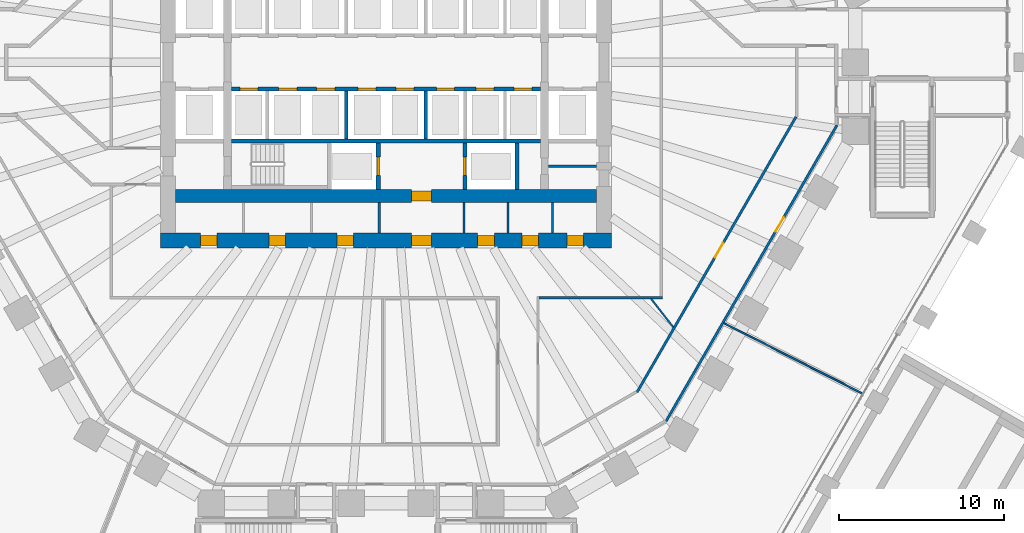
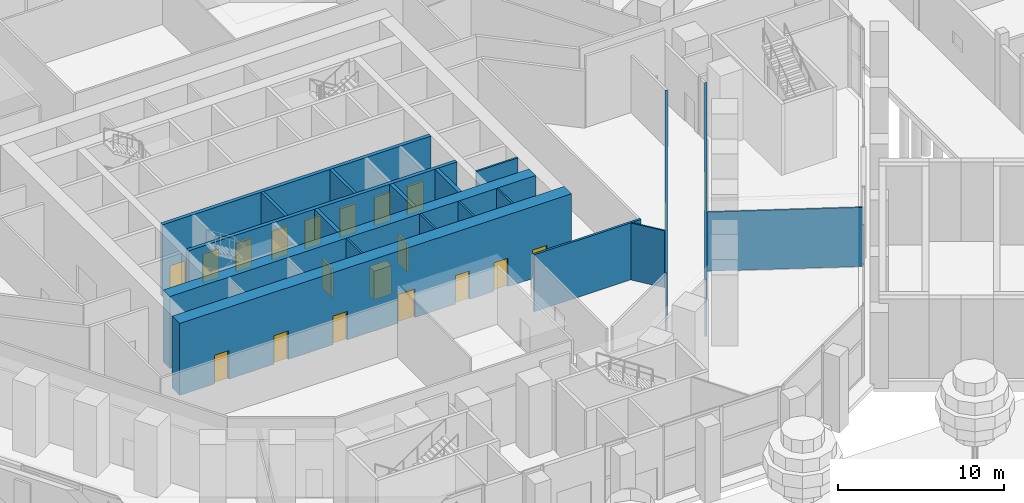
# One storey, part 20 of 44: 20 doors, 19 walls, 20 openings.
"""IFC4 building model written with IfcOpenShell, lengths in metres."""

from ifc_helpers import new_model, si_unit, direction, frame, frame_2d, origin, place, context, subcontext, project, spatial, rectangle, extrude, material, layer, layer_set, type_object, element, fill, save


model = new_model("IFC4")

# Units and contexts
model_context = context("Model", 3, precision=1e-05, world=origin(), true_north=direction((0.0, 1.0)))
body_context = subcontext(model_context, "Body", "Model", "MODEL_VIEW")
ifc_project = project(units=[si_unit("LENGTHUNIT", "METRE"), si_unit("AREAUNIT", "SQUARE_METRE"), si_unit("VOLUMEUNIT", "CUBIC_METRE"), si_unit("PLANEANGLEUNIT", "RADIAN"), si_unit("MASSUNIT", "GRAM", prefix="KILO")], contexts=[model_context])

# Site, building, storey
site_placement = place(None, origin())
site = spatial("IfcSite", under=ifc_project, at=site_placement, CompositionType="ELEMENT")
building_placement = place(site_placement, origin())
building = spatial("IfcBuilding", under=site, at=building_placement, Name="Frailejon Research Tower", CompositionType="ELEMENT")
storey_placement = place(building_placement, origin())
storey = spatial("IfcBuildingStorey", under=building, at=storey_placement, Name="L00", CompositionType="ELEMENT", Elevation=0.0)

# Walls
ifc_material_1 = material(Name="Plasterboard on steel studs", Category="steel")
ifc_layer_1 = layer(ifc_material_1, 0.125)
ifc_layer_set_1 = layer_set([ifc_layer_1], Name="Core partition 125")
wall_type_1 = type_object("IfcWallType", Name="Core partition 125", PredefinedType="PARTITIONING", material=ifc_layer_set_1)
wall_1_placement = place(storey_placement, frame((9.85009765625, -6.300048828125, 0.0), z_axis=(0.0, 0.0, 1.0), x_axis=(1.0, 0.0, 0.0)))
element("IfcWall", 1, at=wall_1_placement, inside=storey, type_object=wall_type_1, Name="Core partition", PredefinedType="PARTITIONING", context=body_context, shape_type="SweptSolid", body=[
    extrude(rectangle(XDim=2.89990234375, YDim=0.125, at=frame_2d((1.449951171875, 0.0))), origin(), (0.0, 0.0, 1.0), 5.300048828125),
])
for number, where, z_axis, x_axis, name in (
    (2, (-0.41259765625, -10.35009765625, 0.0), (0.0, 0.0, 1.0), (0.0, 1.0, 0.0), "Core partition"),
    (3, (4.71240234375, -10.35009765625, 0.0), (0.0, 0.0, 1.0), (0.0, 1.0, 0.0), "Core partition"),
    (4, (7.3916015625, -10.35009765625, 0.0), (0.0, 0.0, 1.0), (0.0, 1.0, 0.0), "Core partition"),
    (5, (10.07080078125, -10.35009765625, 0.0), (0.0, 0.0, 1.0), (0.0, 1.0, 0.0), "Core partition"),
):
    element("IfcWall", number, at=place(storey_placement, frame(where, z_axis=z_axis, x_axis=x_axis)), inside=storey, type_object=wall_type_1, Name=name, PredefinedType="PARTITIONING", context=body_context, shape_type="SweptSolid", body=[
        extrude(rectangle(XDim=1.85009765625, YDim=0.125, at=frame_2d((0.925048828125, 0.0))), origin(), (0.0, 0.0, 1.0), 5.300048828125),
    ])

# Wall, opening, door
ifc_material_2 = material(Name="Concrete C70/85", Category="concrete")
ifc_layer_2 = layer(ifc_material_2, 0.800048828125)
ifc_layer_set_2 = layer_set([ifc_layer_2], Name="Core shear wall 800 C70/85")
wall_type_2 = type_object("IfcWallType", Name="Core shear wall 800 C70/85", PredefinedType="SHEAR", material=ifc_layer_set_2)
wall_2_placement = place(storey_placement, frame((-12.75, -8.10009765625, 0.0), z_axis=(0.0, 0.0, 1.0), x_axis=(1.0, 0.0, 0.0)))
wall_2 = element("IfcWall", 6, at=wall_2_placement, inside=storey, type_object=wall_type_2, Name="Core shear wall", PredefinedType="SHEAR", context=body_context, shape_type="SweptSolid", body=[
    extrude(rectangle(XDim=25.5, YDim=0.800048828125, at=frame_2d((12.75, 0.0))), origin(), (0.0, 0.0, 1.0), 5.300048828125),
])
opening_1_placement = place(wall_2_placement, frame((14.300048828125, 0.0, 0.0)))
opening_1 = element("IfcOpeningElement", 7, at=opening_1_placement, cuts=wall_2, Name="Opening D3", PredefinedType="OPENING", context=body_context, shape_type="SweptSolid", body=[
    extrude(rectangle(XDim=1.199951171875, YDim=2.10009765625, at=frame_2d((0.60009765625, 1.050048828125))), frame((0.0, 0.409912109375, 0.0), z_axis=(0.0, -1.0, 0.0), x_axis=(1.0, 0.0, 0.0)), (0.0, 0.0, 1.0), 0.820068359375),
])
ifc_material_3 = material(Name="Steel", Category="steel")
door_type_1 = type_object("IfcDoorType", Name="Firefighting lobby door", OperationType="SINGLE_SWING_LEFT", PredefinedType="DOOR", material=ifc_material_3)
door_1_placement = place(opening_1_placement, origin())
door_1 = element("IfcDoor", 8, at=door_1_placement, inside=storey, type_object=door_type_1, Name="Firefighting lobby door", OperationType="SINGLE_SWING_LEFT", OverallHeight=2.10009765625, OverallWidth=1.199951171875, PredefinedType="DOOR", context=body_context, shape_type="SweptSolid", body=[
    extrude(rectangle(XDim=1.199951171875, YDim=2.10009765625, at=frame_2d((0.60009765625, 1.050048828125))), frame((0.0, 0.300048828125, 0.0), z_axis=(0.0, -1.0, 0.0), x_axis=(1.0, 0.0, 0.0)), (0.0, 0.0, 1.0), 0.60009765625),
])
fill(opening_1, door_1)

# Wall, openings, doors
ifc_material_4 = material(Name="Concrete C70/85", Category="concrete")
ifc_layer_3 = layer(ifc_material_4, 0.89990234375)
ifc_layer_set_3 = layer_set([ifc_layer_3], Name="Core shear wall 900 C70/85")
wall_type_3 = type_object("IfcWallType", Name="Core shear wall 900 C70/85", PredefinedType="SHEAR", material=ifc_layer_set_3)
wall_3_placement = place(storey_placement, frame((-13.64990234375, -10.800048828125, 0.0), z_axis=(0.0, 0.0, 1.0), x_axis=(1.0, 0.0, 0.0)))
wall_3 = element("IfcWall", 9, at=wall_3_placement, inside=storey, type_object=wall_type_3, Name="Core shear wall", PredefinedType="SHEAR", context=body_context, shape_type="SweptSolid", body=[
    extrude(rectangle(XDim=27.2998046875, YDim=0.89990234375, at=frame_2d((13.64990234375, 0.0))), origin(), (0.0, 0.0, 1.0), 5.300048828125),
])
opening_2_placement = place(wall_3_placement, frame((2.425048828125, 0.0, 0.0)))
opening_2 = element("IfcOpeningElement", 10, at=opening_2_placement, cuts=wall_3, Name="Opening D4", PredefinedType="OPENING", context=body_context, shape_type="SweptSolid", body=[
    extrude(rectangle(XDim=1.0, YDim=2.10009765625, at=frame_2d((0.5, 1.050048828125))), frame((0.0, 0.4599609375, 0.0), z_axis=(0.0, -1.0, 0.0), x_axis=(1.0, 0.0, 0.0)), (0.0, 0.0, 1.0), 0.919921875),
])
opening_3_placement = place(wall_3_placement, frame((6.568603515625, 0.0, 0.0)))
opening_3 = element("IfcOpeningElement", 11, at=opening_3_placement, cuts=wall_3, Name="Opening D4", PredefinedType="OPENING", context=body_context, shape_type="SweptSolid", body=[
    extrude(rectangle(XDim=1.0, YDim=2.10009765625, at=frame_2d((0.5, 1.050048828125))), frame((0.0, 0.4599609375, 0.0), z_axis=(0.0, -1.0, 0.0), x_axis=(1.0, 0.0, 0.0)), (0.0, 0.0, 1.0), 0.919921875),
])
opening_4_placement = place(wall_3_placement, frame((10.68115234375, 0.0, 0.0)))
opening_4 = element("IfcOpeningElement", 12, at=opening_4_placement, cuts=wall_3, Name="Opening D4", PredefinedType="OPENING", context=body_context, shape_type="SweptSolid", body=[
    extrude(rectangle(XDim=1.0, YDim=2.10009765625, at=frame_2d((0.5, 1.050048828125))), frame((0.0, 0.4599609375, 0.0), z_axis=(0.0, -1.0, 0.0), x_axis=(1.0, 0.0, 0.0)), (0.0, 0.0, 1.0), 0.919921875),
])
opening_5_placement = place(wall_3_placement, frame((19.2021484375, 0.0, 0.0)))
opening_5 = element("IfcOpeningElement", 13, at=opening_5_placement, cuts=wall_3, Name="Opening D4", PredefinedType="OPENING", context=body_context, shape_type="SweptSolid", body=[
    extrude(rectangle(XDim=1.0, YDim=2.10009765625, at=frame_2d((0.5, 1.050048828125))), frame((0.0, 0.4599609375, 0.0), z_axis=(0.0, -1.0, 0.0), x_axis=(1.0, 0.0, 0.0)), (0.0, 0.0, 1.0), 0.919921875),
])
opening_6_placement = place(wall_3_placement, frame((21.881103515625, 0.0, 0.0)))
opening_6 = element("IfcOpeningElement", 14, at=opening_6_placement, cuts=wall_3, Name="Opening D4", PredefinedType="OPENING", context=body_context, shape_type="SweptSolid", body=[
    extrude(rectangle(XDim=1.0, YDim=2.10009765625, at=frame_2d((0.5, 1.050048828125))), frame((0.0, 0.4599609375, 0.0), z_axis=(0.0, -1.0, 0.0), x_axis=(1.0, 0.0, 0.0)), (0.0, 0.0, 1.0), 0.919921875),
])
opening_7_placement = place(wall_3_placement, frame((24.591796875, 0.0, 0.0)))
opening_7 = element("IfcOpeningElement", 15, at=opening_7_placement, cuts=wall_3, Name="Opening D4", PredefinedType="OPENING", context=body_context, shape_type="SweptSolid", body=[
    extrude(rectangle(XDim=1.0, YDim=2.10009765625, at=frame_2d((0.5, 1.050048828125))), frame((0.0, 0.4599609375, 0.0), z_axis=(0.0, -1.0, 0.0), x_axis=(1.0, 0.0, 0.0)), (0.0, 0.0, 1.0), 0.919921875),
])
opening_8_placement = place(wall_3_placement, frame((15.199951171875, 0.0, 0.0)))
opening_8 = element("IfcOpeningElement", 16, at=opening_8_placement, cuts=wall_3, Name="Opening D3", PredefinedType="OPENING", context=body_context, shape_type="SweptSolid", body=[
    extrude(rectangle(XDim=1.199951171875, YDim=2.10009765625, at=frame_2d((0.60009765625, 1.050048828125))), frame((0.0, 0.4599609375, 0.0), z_axis=(0.0, -1.0, 0.0), x_axis=(1.0, 0.0, 0.0)), (0.0, 0.0, 1.0), 0.919921875),
])
door_2_placement = place(opening_8_placement, origin())
door_2 = element("IfcDoor", 17, at=door_2_placement, inside=storey, type_object=door_type_1, Name="Passage door", OperationType="SINGLE_SWING_RIGHT", OverallHeight=2.10009765625, OverallWidth=1.199951171875, PredefinedType="DOOR", context=body_context, shape_type="SweptSolid", body=[
    extrude(rectangle(XDim=1.199951171875, YDim=2.10009765625, at=frame_2d((0.60009765625, 1.050048828125))), frame((0.0, 0.300048828125, 0.0), z_axis=(0.0, -1.0, 0.0), x_axis=(1.0, 0.0, 0.0)), (0.0, 0.0, 1.0), 0.60009765625),
])
fill(opening_8, door_2)
ifc_material_5 = material(Name="Steel", Category="steel")
door_type_2 = type_object("IfcDoorType", Name="Service door", OperationType="SINGLE_SWING_LEFT", PredefinedType="DOOR", material=ifc_material_5)
door_3_placement = place(opening_2_placement, origin())
door_3 = element("IfcDoor", 18, at=door_3_placement, inside=storey, type_object=door_type_2, Name="Room door", OperationType="SINGLE_SWING_RIGHT", OverallHeight=2.10009765625, OverallWidth=1.0, PredefinedType="DOOR", context=body_context, shape_type="SweptSolid", body=[
    extrude(rectangle(XDim=1.0, YDim=2.10009765625, at=frame_2d((0.5, 1.050048828125))), frame((0.0, 0.300048828125, 0.0), z_axis=(0.0, -1.0, 0.0), x_axis=(1.0, 0.0, 0.0)), (0.0, 0.0, 1.0), 0.60009765625),
])
fill(opening_2, door_3)
door_4_placement = place(opening_3_placement, origin())
door_4 = element("IfcDoor", 19, at=door_4_placement, inside=storey, type_object=door_type_2, Name="Room door", OperationType="SINGLE_SWING_LEFT", OverallHeight=2.10009765625, OverallWidth=1.0, PredefinedType="DOOR", context=body_context, shape_type="SweptSolid", body=[
    extrude(rectangle(XDim=1.0, YDim=2.10009765625, at=frame_2d((0.5, 1.050048828125))), frame((0.0, 0.300048828125, 0.0), z_axis=(0.0, -1.0, 0.0), x_axis=(1.0, 0.0, 0.0)), (0.0, 0.0, 1.0), 0.60009765625),
])
fill(opening_3, door_4)
door_5_placement = place(opening_4_placement, origin())
door_5 = element("IfcDoor", 20, at=door_5_placement, inside=storey, type_object=door_type_2, Name="Room door", OperationType="SINGLE_SWING_RIGHT", OverallHeight=2.10009765625, OverallWidth=1.0, PredefinedType="DOOR", context=body_context, shape_type="SweptSolid", body=[
    extrude(rectangle(XDim=1.0, YDim=2.10009765625, at=frame_2d((0.5, 1.050048828125))), frame((0.0, 0.300048828125, 0.0), z_axis=(0.0, -1.0, 0.0), x_axis=(1.0, 0.0, 0.0)), (0.0, 0.0, 1.0), 0.60009765625),
])
fill(opening_4, door_5)
door_6_placement = place(opening_5_placement, origin())
door_6 = element("IfcDoor", 21, at=door_6_placement, inside=storey, type_object=door_type_2, Name="Room door", OperationType="SINGLE_SWING_LEFT", OverallHeight=2.10009765625, OverallWidth=1.0, PredefinedType="DOOR", context=body_context, shape_type="SweptSolid", body=[
    extrude(rectangle(XDim=1.0, YDim=2.10009765625, at=frame_2d((0.5, 1.050048828125))), frame((0.0, 0.300048828125, 0.0), z_axis=(0.0, -1.0, 0.0), x_axis=(1.0, 0.0, 0.0)), (0.0, 0.0, 1.0), 0.60009765625),
])
fill(opening_5, door_6)
door_7_placement = place(opening_6_placement, origin())
door_7 = element("IfcDoor", 22, at=door_7_placement, inside=storey, type_object=door_type_2, Name="Room door", OperationType="SINGLE_SWING_RIGHT", OverallHeight=2.10009765625, OverallWidth=1.0, PredefinedType="DOOR", context=body_context, shape_type="SweptSolid", body=[
    extrude(rectangle(XDim=1.0, YDim=2.10009765625, at=frame_2d((0.5, 1.050048828125))), frame((0.0, 0.300048828125, 0.0), z_axis=(0.0, -1.0, 0.0), x_axis=(1.0, 0.0, 0.0)), (0.0, 0.0, 1.0), 0.60009765625),
])
fill(opening_6, door_7)
door_8_placement = place(opening_7_placement, origin())
door_8 = element("IfcDoor", 23, at=door_8_placement, inside=storey, type_object=door_type_2, Name="Room door", OperationType="SINGLE_SWING_LEFT", OverallHeight=2.10009765625, OverallWidth=1.0, PredefinedType="DOOR", context=body_context, shape_type="SweptSolid", body=[
    extrude(rectangle(XDim=1.0, YDim=2.10009765625, at=frame_2d((0.5, 1.050048828125))), frame((0.0, 0.300048828125, 0.0), z_axis=(0.0, -1.0, 0.0), x_axis=(1.0, 0.0, 0.0)), (0.0, 0.0, 1.0), 0.60009765625),
])
fill(opening_7, door_8)

# Wall, opening, door
ifc_material_6 = material(Name="Gypsum board and masonry partition", Category="masonry")
ifc_layer_4 = layer(ifc_material_6, 0.14990234375)
ifc_layer_set_4 = layer_set([ifc_layer_4], Name="Corridor wall EI 60, gypsum on steel studs 150")
wall_type_4 = type_object("IfcWallType", Name="Corridor wall EI 60, gypsum on steel studs 150", PredefinedType="PARTITIONING", material=ifc_layer_set_4)
wall_4_placement = place(storey_placement, frame((15.19677734375, -19.978515625, 0.0), z_axis=(0.0, 0.0, 1.0), x_axis=(0.499992422807, 0.866029778435, 0.0)))
wall_4 = element("IfcWall", 24, at=wall_4_placement, inside=storey, type_object=wall_type_4, Name="T:IW:L00:037", PredefinedType="PARTITIONING", context=body_context, shape_type="SweptSolid", body=[
    extrude(rectangle(XDim=19.257080078125, YDim=0.14990234375, at=frame_2d((9.62841796875, 0.0))), origin(), (0.0, 0.0, 1.0), 4.199951171875),
])
opening_9_placement = place(wall_4_placement, frame((9.429931640625, 0.0, 0.0)))
opening_9 = element("IfcOpeningElement", 25, at=opening_9_placement, cuts=wall_4, Name="Opening D1020", PredefinedType="OPENING", context=body_context, shape_type="SweptSolid", body=[
    extrude(rectangle(XDim=1.0, YDim=2.10009765625, at=frame_2d((0.5, 1.050048828125))), frame((0.0, 0.0849609375, 0.0), z_axis=(0.0, -1.0, 0.0), x_axis=(1.0, 0.0, 0.0)), (0.0, 0.0, 1.0), 0.169921875),
])
ifc_material_7 = material(Name="Timber door leaf", Category="wood")
door_type_3 = type_object("IfcDoorType", Name="Door single leaf, timber, steel frame 1000", OperationType="NOTDEFINED", PredefinedType="DOOR", material=ifc_material_7)
door_9_placement = place(opening_9_placement, origin())
door_9 = element("IfcDoor", 26, at=door_9_placement, inside=storey, type_object=door_type_3, Name="D1020", OperationType="SINGLE_SWING_RIGHT", OverallHeight=2.10009765625, OverallWidth=1.0, PredefinedType="DOOR", context=body_context, shape_type="SweptSolid", body=[
    extrude(rectangle(XDim=1.0, YDim=2.10009765625, at=frame_2d((0.5, 1.050048828125))), frame((0.0, 0.02490234375, 0.0), z_axis=(0.0, -1.0, 0.0), x_axis=(1.0, 0.0, 0.0)), (0.0, 0.0, 1.0), 0.050048828125),
])
fill(opening_9, door_9)

wall_5_placement = place(storey_placement, frame((16.95361328125, -21.735595703125, 0.0), z_axis=(0.0, 0.0, 1.0), x_axis=(0.499996491498, 0.86602742941, 0.0)))
wall_5 = element("IfcWall", 27, at=wall_5_placement, inside=storey, type_object=wall_type_4, Name="T:IW:L00:039", PredefinedType="PARTITIONING", context=body_context, shape_type="SweptSolid", body=[
    extrude(rectangle(XDim=20.693603515625, YDim=0.14990234375, at=frame_2d((10.3466796875, 0.0))), origin(), (0.0, 0.0, 1.0), 4.199951171875),
])
opening_10_placement = place(wall_5_placement, frame((13.254150390625, 0.0, 0.0)))
opening_10 = element("IfcOpeningElement", 28, at=opening_10_placement, cuts=wall_5, Name="Opening D1019", PredefinedType="OPENING", context=body_context, shape_type="SweptSolid", body=[
    extrude(rectangle(XDim=1.0, YDim=2.10009765625, at=frame_2d((0.5, 1.050048828125))), frame((0.0, 0.0849609375, 0.0), z_axis=(0.0, -1.0, 0.0), x_axis=(1.0, 0.0, 0.0)), (0.0, 0.0, 1.0), 0.169921875),
])
door_10_placement = place(opening_10_placement, origin())
door_10 = element("IfcDoor", 29, at=door_10_placement, inside=storey, type_object=door_type_3, Name="D1019", OperationType="SINGLE_SWING_RIGHT", OverallHeight=2.10009765625, OverallWidth=1.0, PredefinedType="DOOR", context=body_context, shape_type="SweptSolid", body=[
    extrude(rectangle(XDim=1.0, YDim=2.10009765625, at=frame_2d((0.5, 1.050048828125))), frame((0.0, 0.02490234375, 0.0), z_axis=(0.0, -1.0, 0.0), x_axis=(1.0, 0.0, 0.0)), (0.0, 0.0, 1.0), 0.050048828125),
])
fill(opening_10, door_10)

# Walls
wall_6_placement = place(storey_placement, frame((9.27490234375, -14.25, 0.0), z_axis=(0.0, 0.0, 1.0), x_axis=(1.0, 0.0, 0.0)))
element("IfcWall", 30, at=wall_6_placement, inside=storey, type_object=wall_type_4, Name="T:IW:L00:042", PredefinedType="PARTITIONING", context=body_context, shape_type="SweptSolid", body=[
    extrude(rectangle(XDim=7.4501953125, YDim=0.14990234375, at=frame_2d((3.72509765625, 0.0))), origin(), (0.0, 0.0, 1.0), 4.199951171875),
])
ifc_material_8 = material(Name="Gypsum board and masonry partition", Category="masonry")
ifc_layer_5 = layer(ifc_material_8, 0.10009765625)
ifc_layer_set_5 = layer_set([ifc_layer_5], Name="Partition, gypsum on steel studs 100")
wall_type_5 = type_object("IfcWallType", Name="Partition, gypsum on steel studs 100", PredefinedType="PARTITIONING", material=ifc_layer_set_5)
wall_7_placement = place(storey_placement, frame((16.03515625, -14.30908203125, 0.0), z_axis=(0.0, 0.0, 1.0), x_axis=(0.614862065397, -0.788634668611, 0.0)))
element("IfcWall", 31, at=wall_7_placement, inside=storey, type_object=wall_type_5, Name="T:IW:L00:100", PredefinedType="PARTITIONING", context=body_context, shape_type="SweptSolid", body=[
    extrude(rectangle(XDim=2.2001953125, YDim=0.10009765625, at=frame_2d((1.10009765625, 0.0))), origin(), (0.0, 0.0, 1.0), 4.199951171875),
])
wall_8_placement = place(storey_placement, frame((20.46533203125, -15.802734375, 0.0), z_axis=(0.0, 0.0, 1.0), x_axis=(0.891490323064, -0.453039737643, 0.0)))
element("IfcWall", 32, at=wall_8_placement, inside=storey, type_object=wall_type_5, Name="T:IW:L00:101", PredefinedType="PARTITIONING", context=body_context, shape_type="SweptSolid", body=[
    extrude(rectangle(XDim=9.438232421875, YDim=0.10009765625, at=frame_2d((4.71923828125, 0.0))), origin(), (0.0, 0.0, 1.0), 4.35009765625),
])
ifc_material_9 = material(Name="Concrete C70/85", Category="concrete")
ifc_layer_6 = layer(ifc_material_9, 0.199951171875)
ifc_layer_set_6 = layer_set([ifc_layer_6], Name="Shaft wall 200 C70/85")
wall_type_6 = type_object("IfcWallType", Name="Shaft wall 200 C70/85", PredefinedType="SOLIDWALL", material=ifc_layer_set_6)
for number, where, z_axis, x_axis, name in (
    (33, (-2.39990234375, -4.64990234375, 0.0), (0.0, 0.0, 1.0), (0.0, 1.0, 0.0), "Shaft wall"),
    (34, (2.39990234375, -4.64990234375, 0.0), (0.0, 0.0, 1.0), (0.0, 1.0, 0.0), "Shaft wall"),
):
    element("IfcWall", number, at=place(storey_placement, frame(where, z_axis=z_axis, x_axis=x_axis)), inside=storey, type_object=wall_type_6, Name=name, PredefinedType="SOLIDWALL", context=body_context, shape_type="SweptSolid", body=[
        extrude(rectangle(XDim=2.89990234375, YDim=0.199951171875, at=frame_2d((1.449951171875, 0.0))), origin(), (0.0, 0.0, 1.0), 5.300048828125),
    ])

# Wall, openings, doors
ifc_material_10 = material(Name="Concrete C70/85", Category="concrete")
ifc_layer_7 = layer(ifc_material_10, 0.25)
ifc_layer_set_7 = layer_set([ifc_layer_7], Name="Shaft wall 250 C70/85")
wall_type_7 = type_object("IfcWallType", Name="Shaft wall 250 C70/85", PredefinedType="SOLIDWALL", material=ifc_layer_set_7)
wall_9_placement = place(storey_placement, frame((-9.35009765625, -1.625, 0.0), z_axis=(0.0, 0.0, 1.0), x_axis=(1.0, 0.0, 0.0)))
wall_9 = element("IfcWall", 35, at=wall_9_placement, inside=storey, type_object=wall_type_7, Name="Shaft wall", PredefinedType="SOLIDWALL", context=body_context, shape_type="SweptSolid", body=[
    extrude(rectangle(XDim=18.7001953125, YDim=0.25, at=frame_2d((9.35009765625, 0.0))), origin(), (0.0, 0.0, 1.0), 5.300048828125),
])
opening_11_placement = place(wall_9_placement, frame((0.5, 0.0, 0.0)))
opening_11 = element("IfcOpeningElement", 36, at=opening_11_placement, cuts=wall_9, Name="Opening LD", PredefinedType="OPENING", context=body_context, shape_type="SweptSolid", body=[
    extrude(rectangle(XDim=1.10009765625, YDim=2.10009765625, at=frame_2d((0.550048828125, 1.050048828125))), frame((0.0, 0.135009765625, 0.0), z_axis=(0.0, -1.0, 0.0), x_axis=(1.0, 0.0, 0.0)), (0.0, 0.0, 1.0), 0.27001953125),
])
opening_12_placement = place(wall_9_placement, frame((2.85009765625, 0.0, 0.0)))
opening_12 = element("IfcOpeningElement", 37, at=opening_12_placement, cuts=wall_9, Name="Opening LD", PredefinedType="OPENING", context=body_context, shape_type="SweptSolid", body=[
    extrude(rectangle(XDim=1.10009765625, YDim=2.10009765625, at=frame_2d((0.550048828125, 1.050048828125))), frame((0.0, 0.135009765625, 0.0), z_axis=(0.0, -1.0, 0.0), x_axis=(1.0, 0.0, 0.0)), (0.0, 0.0, 1.0), 0.27001953125),
])
opening_13_placement = place(wall_9_placement, frame((5.14990234375, 0.0, 0.0)))
opening_13 = element("IfcOpeningElement", 38, at=opening_13_placement, cuts=wall_9, Name="Opening LD", PredefinedType="OPENING", context=body_context, shape_type="SweptSolid", body=[
    extrude(rectangle(XDim=1.10009765625, YDim=2.10009765625, at=frame_2d((0.550048828125, 1.050048828125))), frame((0.0, 0.135009765625, 0.0), z_axis=(0.0, -1.0, 0.0), x_axis=(1.0, 0.0, 0.0)), (0.0, 0.0, 1.0), 0.27001953125),
])
opening_14_placement = place(wall_9_placement, frame((7.64990234375, 0.0, 0.0)))
opening_14 = element("IfcOpeningElement", 39, at=opening_14_placement, cuts=wall_9, Name="Opening LD", PredefinedType="OPENING", context=body_context, shape_type="SweptSolid", body=[
    extrude(rectangle(XDim=1.10009765625, YDim=2.10009765625, at=frame_2d((0.550048828125, 1.050048828125))), frame((0.0, 0.135009765625, 0.0), z_axis=(0.0, -1.0, 0.0), x_axis=(1.0, 0.0, 0.0)), (0.0, 0.0, 1.0), 0.27001953125),
])
opening_15_placement = place(wall_9_placement, frame((9.949951171875, 0.0, 0.0)))
opening_15 = element("IfcOpeningElement", 40, at=opening_15_placement, cuts=wall_9, Name="Opening LD", PredefinedType="OPENING", context=body_context, shape_type="SweptSolid", body=[
    extrude(rectangle(XDim=1.10009765625, YDim=2.10009765625, at=frame_2d((0.550048828125, 1.050048828125))), frame((0.0, 0.135009765625, 0.0), z_axis=(0.0, -1.0, 0.0), x_axis=(1.0, 0.0, 0.0)), (0.0, 0.0, 1.0), 0.27001953125),
])
opening_16_placement = place(wall_9_placement, frame((12.39990234375, 0.0, 0.0)))
opening_16 = element("IfcOpeningElement", 41, at=opening_16_placement, cuts=wall_9, Name="Opening LD", PredefinedType="OPENING", context=body_context, shape_type="SweptSolid", body=[
    extrude(rectangle(XDim=1.10009765625, YDim=2.10009765625, at=frame_2d((0.550048828125, 1.050048828125))), frame((0.0, 0.135009765625, 0.0), z_axis=(0.0, -1.0, 0.0), x_axis=(1.0, 0.0, 0.0)), (0.0, 0.0, 1.0), 0.27001953125),
])
opening_17_placement = place(wall_9_placement, frame((14.800048828125, 0.0, 0.0)))
opening_17 = element("IfcOpeningElement", 42, at=opening_17_placement, cuts=wall_9, Name="Opening LD", PredefinedType="OPENING", context=body_context, shape_type="SweptSolid", body=[
    extrude(rectangle(XDim=1.10009765625, YDim=2.10009765625, at=frame_2d((0.550048828125, 1.050048828125))), frame((0.0, 0.135009765625, 0.0), z_axis=(0.0, -1.0, 0.0), x_axis=(1.0, 0.0, 0.0)), (0.0, 0.0, 1.0), 0.27001953125),
])
opening_18_placement = place(wall_9_placement, frame((17.10009765625, 0.0, 0.0)))
opening_18 = element("IfcOpeningElement", 43, at=opening_18_placement, cuts=wall_9, Name="Opening LD", PredefinedType="OPENING", context=body_context, shape_type="SweptSolid", body=[
    extrude(rectangle(XDim=1.10009765625, YDim=2.10009765625, at=frame_2d((0.550048828125, 1.050048828125))), frame((0.0, 0.135009765625, 0.0), z_axis=(0.0, -1.0, 0.0), x_axis=(1.0, 0.0, 0.0)), (0.0, 0.0, 1.0), 0.27001953125),
])
ifc_material_11 = material(Name="Steel", Category="steel")
door_type_4 = type_object("IfcDoorType", Name="Lift landing door", OperationType="DOUBLE_DOOR_SLIDING", PredefinedType="DOOR", material=ifc_material_11)
door_11_placement = place(opening_11_placement, origin())
door_11 = element("IfcDoor", 44, at=door_11_placement, inside=storey, type_object=door_type_4, Name="Lift landing door", OperationType="DOUBLE_DOOR_SLIDING", OverallHeight=2.10009765625, OverallWidth=1.10009765625, PredefinedType="DOOR", context=body_context, shape_type="SweptSolid", body=[
    extrude(rectangle(XDim=1.10009765625, YDim=2.10009765625, at=frame_2d((0.550048828125, 1.050048828125))), frame((0.0, 0.074951171875, 0.0), z_axis=(0.0, -1.0, 0.0), x_axis=(1.0, 0.0, 0.0)), (0.0, 0.0, 1.0), 0.14990234375),
])
fill(opening_11, door_11)
door_12_placement = place(opening_12_placement, origin())
door_12 = element("IfcDoor", 45, at=door_12_placement, inside=storey, type_object=door_type_4, Name="Lift landing door", OperationType="DOUBLE_DOOR_SLIDING", OverallHeight=2.10009765625, OverallWidth=1.10009765625, PredefinedType="DOOR", context=body_context, shape_type="SweptSolid", body=[
    extrude(rectangle(XDim=1.10009765625, YDim=2.10009765625, at=frame_2d((0.550048828125, 1.050048828125))), frame((0.0, 0.074951171875, 0.0), z_axis=(0.0, -1.0, 0.0), x_axis=(1.0, 0.0, 0.0)), (0.0, 0.0, 1.0), 0.14990234375),
])
fill(opening_12, door_12)
door_13_placement = place(opening_13_placement, origin())
door_13 = element("IfcDoor", 46, at=door_13_placement, inside=storey, type_object=door_type_4, Name="Lift landing door", OperationType="DOUBLE_DOOR_SLIDING", OverallHeight=2.10009765625, OverallWidth=1.10009765625, PredefinedType="DOOR", context=body_context, shape_type="SweptSolid", body=[
    extrude(rectangle(XDim=1.10009765625, YDim=2.10009765625, at=frame_2d((0.550048828125, 1.050048828125))), frame((0.0, 0.074951171875, 0.0), z_axis=(0.0, -1.0, 0.0), x_axis=(1.0, 0.0, 0.0)), (0.0, 0.0, 1.0), 0.14990234375),
])
fill(opening_13, door_13)
door_14_placement = place(opening_14_placement, origin())
door_14 = element("IfcDoor", 47, at=door_14_placement, inside=storey, type_object=door_type_4, Name="Lift landing door", OperationType="DOUBLE_DOOR_SLIDING", OverallHeight=2.10009765625, OverallWidth=1.10009765625, PredefinedType="DOOR", context=body_context, shape_type="SweptSolid", body=[
    extrude(rectangle(XDim=1.10009765625, YDim=2.10009765625, at=frame_2d((0.550048828125, 1.050048828125))), frame((0.0, 0.074951171875, 0.0), z_axis=(0.0, -1.0, 0.0), x_axis=(1.0, 0.0, 0.0)), (0.0, 0.0, 1.0), 0.14990234375),
])
fill(opening_14, door_14)
door_15_placement = place(opening_15_placement, origin())
door_15 = element("IfcDoor", 48, at=door_15_placement, inside=storey, type_object=door_type_4, Name="Lift landing door", OperationType="DOUBLE_DOOR_SLIDING", OverallHeight=2.10009765625, OverallWidth=1.10009765625, PredefinedType="DOOR", context=body_context, shape_type="SweptSolid", body=[
    extrude(rectangle(XDim=1.10009765625, YDim=2.10009765625, at=frame_2d((0.550048828125, 1.050048828125))), frame((0.0, 0.074951171875, 0.0), z_axis=(0.0, -1.0, 0.0), x_axis=(1.0, 0.0, 0.0)), (0.0, 0.0, 1.0), 0.14990234375),
])
fill(opening_15, door_15)
door_16_placement = place(opening_16_placement, origin())
door_16 = element("IfcDoor", 49, at=door_16_placement, inside=storey, type_object=door_type_4, Name="Lift landing door", OperationType="DOUBLE_DOOR_SLIDING", OverallHeight=2.10009765625, OverallWidth=1.10009765625, PredefinedType="DOOR", context=body_context, shape_type="SweptSolid", body=[
    extrude(rectangle(XDim=1.10009765625, YDim=2.10009765625, at=frame_2d((0.550048828125, 1.050048828125))), frame((0.0, 0.074951171875, 0.0), z_axis=(0.0, -1.0, 0.0), x_axis=(1.0, 0.0, 0.0)), (0.0, 0.0, 1.0), 0.14990234375),
])
fill(opening_16, door_16)
door_17_placement = place(opening_17_placement, origin())
door_17 = element("IfcDoor", 50, at=door_17_placement, inside=storey, type_object=door_type_4, Name="Lift landing door", OperationType="DOUBLE_DOOR_SLIDING", OverallHeight=2.10009765625, OverallWidth=1.10009765625, PredefinedType="DOOR", context=body_context, shape_type="SweptSolid", body=[
    extrude(rectangle(XDim=1.10009765625, YDim=2.10009765625, at=frame_2d((0.550048828125, 1.050048828125))), frame((0.0, 0.074951171875, 0.0), z_axis=(0.0, -1.0, 0.0), x_axis=(1.0, 0.0, 0.0)), (0.0, 0.0, 1.0), 0.14990234375),
])
fill(opening_17, door_17)
door_18_placement = place(opening_18_placement, origin())
door_18 = element("IfcDoor", 51, at=door_18_placement, inside=storey, type_object=door_type_4, Name="Lift landing door", OperationType="DOUBLE_DOOR_SLIDING", OverallHeight=2.10009765625, OverallWidth=1.10009765625, PredefinedType="DOOR", context=body_context, shape_type="SweptSolid", body=[
    extrude(rectangle(XDim=1.10009765625, YDim=2.10009765625, at=frame_2d((0.550048828125, 1.050048828125))), frame((0.0, 0.074951171875, 0.0), z_axis=(0.0, -1.0, 0.0), x_axis=(1.0, 0.0, 0.0)), (0.0, 0.0, 1.0), 0.14990234375),
])
fill(opening_18, door_18)

# Wall
wall_10_placement = place(storey_placement, frame((-9.35009765625, -4.77490234375, 0.0), z_axis=(0.0, 0.0, 1.0), x_axis=(1.0, 0.0, 0.0)))
element("IfcWall", 52, at=wall_10_placement, inside=storey, type_object=wall_type_7, Name="Shaft wall", PredefinedType="SOLIDWALL", context=body_context, shape_type="SweptSolid", body=[
    extrude(rectangle(XDim=18.7001953125, YDim=0.25, at=frame_2d((9.35009765625, 0.0))), origin(), (0.0, 0.0, 1.0), 5.300048828125),
])

# Wall, opening, door
wall_11_placement = place(storey_placement, frame((-0.47509765625, -7.699951171875, 0.0), z_axis=(0.0, 0.0, 1.0), x_axis=(0.0, 1.0, 0.0)))
wall_11 = element("IfcWall", 53, at=wall_11_placement, inside=storey, type_object=wall_type_7, Name="Shaft wall", PredefinedType="SOLIDWALL", context=body_context, shape_type="SweptSolid", body=[
    extrude(rectangle(XDim=2.800048828125, YDim=0.25, at=frame_2d((1.39990234375, 0.0))), origin(), (0.0, 0.0, 1.0), 5.300048828125),
])
opening_19_placement = place(wall_11_placement, frame((0.85009765625, 0.0, 0.0)))
opening_19 = element("IfcOpeningElement", 54, at=opening_19_placement, cuts=wall_11, Name="Opening LD", PredefinedType="OPENING", context=body_context, shape_type="SweptSolid", body=[
    extrude(rectangle(XDim=1.10009765625, YDim=2.10009765625, at=frame_2d((0.550048828125, 1.050048828125))), frame((0.0, 0.135009765625, 0.0), z_axis=(0.0, -1.0, 0.0), x_axis=(1.0, 0.0, 0.0)), (0.0, 0.0, 1.0), 0.27001953125),
])
door_19_placement = place(opening_19_placement, origin())
door_19 = element("IfcDoor", 55, at=door_19_placement, inside=storey, type_object=door_type_4, Name="Lift landing door", OperationType="DOUBLE_DOOR_SLIDING", OverallHeight=2.10009765625, OverallWidth=1.10009765625, PredefinedType="DOOR", context=body_context, shape_type="SweptSolid", body=[
    extrude(rectangle(XDim=1.10009765625, YDim=2.10009765625, at=frame_2d((0.550048828125, 1.050048828125))), frame((0.0, 0.074951171875, 0.0), z_axis=(0.0, -1.0, 0.0), x_axis=(1.0, 0.0, 0.0)), (0.0, 0.0, 1.0), 0.14990234375),
])
fill(opening_19, door_19)

wall_12_placement = place(storey_placement, frame((4.77490234375, -7.699951171875, 0.0), z_axis=(0.0, 0.0, 1.0), x_axis=(0.0, 1.0, 0.0)))
wall_12 = element("IfcWall", 56, at=wall_12_placement, inside=storey, type_object=wall_type_7, Name="Shaft wall", PredefinedType="SOLIDWALL", context=body_context, shape_type="SweptSolid", body=[
    extrude(rectangle(XDim=2.800048828125, YDim=0.25, at=frame_2d((1.39990234375, 0.0))), origin(), (0.0, 0.0, 1.0), 5.300048828125),
])
opening_20_placement = place(wall_12_placement, frame((0.85009765625, 0.0, 0.0)))
opening_20 = element("IfcOpeningElement", 57, at=opening_20_placement, cuts=wall_12, Name="Opening LD", PredefinedType="OPENING", context=body_context, shape_type="SweptSolid", body=[
    extrude(rectangle(XDim=1.10009765625, YDim=2.10009765625, at=frame_2d((0.550048828125, 1.050048828125))), frame((0.0, 0.135009765625, 0.0), z_axis=(0.0, -1.0, 0.0), x_axis=(1.0, 0.0, 0.0)), (0.0, 0.0, 1.0), 0.27001953125),
])
door_20_placement = place(opening_20_placement, origin())
door_20 = element("IfcDoor", 58, at=door_20_placement, inside=storey, type_object=door_type_4, Name="Lift landing door", OperationType="DOUBLE_DOOR_SLIDING", OverallHeight=2.10009765625, OverallWidth=1.10009765625, PredefinedType="DOOR", context=body_context, shape_type="SweptSolid", body=[
    extrude(rectangle(XDim=1.10009765625, YDim=2.10009765625, at=frame_2d((0.550048828125, 1.050048828125))), frame((0.0, 0.074951171875, 0.0), z_axis=(0.0, -1.0, 0.0), x_axis=(1.0, 0.0, 0.0)), (0.0, 0.0, 1.0), 0.14990234375),
])
fill(opening_20, door_20)

# Wall
wall_13_placement = place(storey_placement, frame((7.925048828125, -7.699951171875, 0.0), z_axis=(0.0, 0.0, 1.0), x_axis=(0.0, 1.0, 0.0)))
element("IfcWall", 59, at=wall_13_placement, inside=storey, type_object=wall_type_7, Name="Shaft wall", PredefinedType="SOLIDWALL", context=body_context, shape_type="SweptSolid", body=[
    extrude(rectangle(XDim=2.800048828125, YDim=0.25, at=frame_2d((1.39990234375, 0.0))), origin(), (0.0, 0.0, 1.0), 5.300048828125),
])

save(model, "model.ifc")
